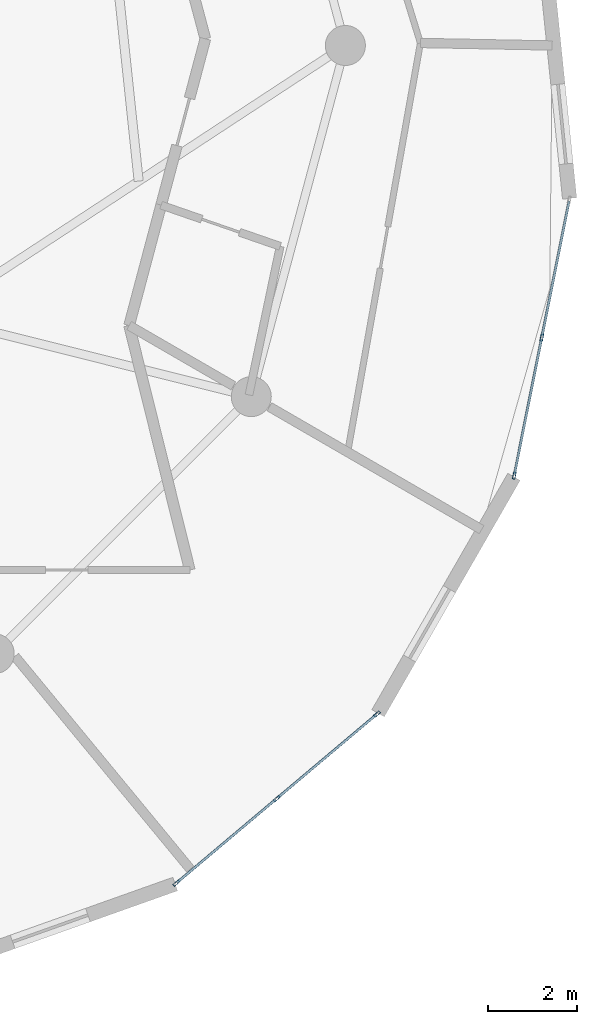
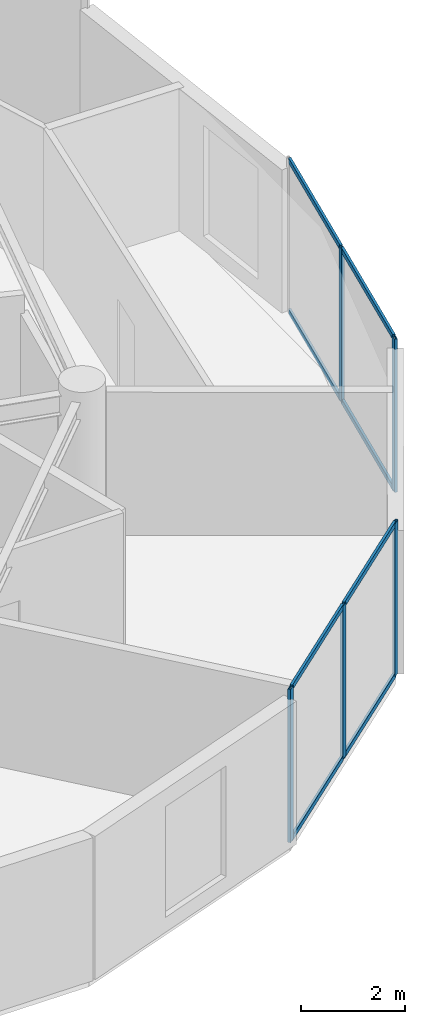
# One storey, part 6 of 17: 13 members, 2 elements without a shape of their own.
"""IFC4 building model written with IfcOpenShell, lengths in metres."""

from ifc_helpers import new_model, si_unit, direction, frame, origin, origin_2d, place, context, subcontext, project, spatial, hollow_rectangle, extrude, source, transform, mapped, material, layer, layer_set, material_profile, profile_set, type_object, element, aggregate, save


model = new_model("IFC4")

# Units and contexts
model_context = context("Model", 3, precision=1e-05, world=origin(), true_north=direction((0.0, 1.0)))
body_context = subcontext(model_context, "Body", "Model", "MODEL_VIEW")
ifc_project = project(units=[si_unit("LENGTHUNIT", "METRE"), si_unit("AREAUNIT", "SQUARE_METRE"), si_unit("VOLUMEUNIT", "CUBIC_METRE"), si_unit("PLANEANGLEUNIT", "RADIAN"), si_unit("MASSUNIT", "GRAM", prefix="KILO")], contexts=[model_context])

# Site, building, storey
site_placement = place(None, origin())
site = spatial("IfcSite", under=ifc_project, at=site_placement, CompositionType="ELEMENT")
building_placement = place(site_placement, origin())
building = spatial("IfcBuilding", under=site, at=building_placement, Name="Solvirekh Grand Hotel", CompositionType="ELEMENT")
storey_placement = place(building_placement, frame((0.0, 0.0, 191.199951171875)))
storey = spatial("IfcBuildingStorey", under=building, at=storey_placement, Name="L49", CompositionType="ELEMENT", Elevation=191.199951171875)

# Curtain wall, members
ifc_material = material(Name="Anodized Bronze Aluminium 6063-T6", Category="aluminium")
ifc_layer = layer(ifc_material, 0.159912109375)
ifc_layer_set = layer_set([ifc_layer], Name="Anodized Bronze Aluminium 6063-T6")
curtain_wall_type = type_object("IfcCurtainWallType", Name="CW_Sys4_HighZoneFlushBronzeCW", PredefinedType="NOTDEFINED", material=ifc_layer_set)
curtain_wall_1_placement = place(storey_placement, origin())
curtain_wall_1 = element("IfcCurtainWall", 1, at=curtain_wall_1_placement, inside=storey, type_object=curtain_wall_type, Name="L49 unitised bronze-glass curtain wall CW-L49-C01", PredefinedType="NOTDEFINED")
ifc_material_profile_1 = material_profile(ifc_material, hollow_rectangle(XDim=0.06005859375, YDim=0.159912109375, WallThickness=0.0048828125, at=origin_2d()), Name="ALU RHS 160X60X5")
ifc_profile_set_1 = profile_set([ifc_material_profile_1], Name="Anodized Bronze Aluminium 6063-T6")
member_type_1 = type_object("IfcMemberType", Name="CWMullion_Sys4", PredefinedType="MULLION", material=ifc_profile_set_1)
shared_shape_1 = source(origin(), body_context, "Body", "SweptSolid", [
    extrude(hollow_rectangle(XDim=0.06005859375, YDim=0.159912109375, WallThickness=0.0048828125, at=origin_2d()), origin(), (0.0, 0.0, 1.0), 3.60009765625),
])
member_1_placement = place(storey_placement, frame((11.994873046875, -18.8466796875, 0.0), z_axis=(0.0, 0.0, 1.0), x_axis=(-0.644197671449, 0.764859045903, 0.0)))
member_1 = element("IfcMember", 2, at=member_1_placement, type_object=member_type_1, Name="U04 mullion 1", PredefinedType="MULLION", context=body_context, shape_type="MappedRepresentation", body=[
    mapped(shared_shape_1, transform((0.0, 0.0, 0.0), x_axis=(1.0, 0.0, 0.0), y_axis=(0.0, 1.0, 0.0), z_axis=(0.0, 0.0, 1.0), scale=1.0)),
])
member_2_placement = place(storey_placement, frame((14.25390625, -16.944091796875, 0.0), z_axis=(0.0, 0.0, 1.0), x_axis=(-0.644197671449, 0.764859045903, 0.0)))
member_2 = element("IfcMember", 3, at=member_2_placement, type_object=member_type_1, Name="U04 mullion 2", PredefinedType="MULLION", context=body_context, shape_type="MappedRepresentation", body=[
    mapped(shared_shape_1, transform((0.0, 0.0, 0.0), x_axis=(1.0, 0.0, 0.0), y_axis=(0.0, 1.0, 0.0), z_axis=(0.0, 0.0, 1.0), scale=1.0)),
])
member_3_placement = place(storey_placement, frame((16.512939453125, -15.041259765625, 0.0), z_axis=(0.0, 0.0, 1.0), x_axis=(-0.644197671449, 0.764859045903, 0.0)))
member_3 = element("IfcMember", 4, at=member_3_placement, type_object=member_type_1, Name="U04 mullion 3", PredefinedType="MULLION", context=body_context, shape_type="MappedRepresentation", body=[
    mapped(shared_shape_1, transform((0.0, 0.0, 0.0), x_axis=(1.0, 0.0, 0.0), y_axis=(0.0, 1.0, 0.0), z_axis=(0.0, 0.0, 1.0), scale=1.0)),
])

curtain_wall_2_placement = place(storey_placement, origin())
curtain_wall_2 = element("IfcCurtainWall", 5, at=curtain_wall_2_placement, inside=storey, type_object=curtain_wall_type, Name="L49 unitised bronze-glass curtain wall CW-L49-C03", PredefinedType="NOTDEFINED")
member_4_placement = place(storey_placement, frame((19.598876953125, -9.676513671875, 0.0), z_axis=(0.0, 0.0, 1.0), x_axis=(-0.980610764538, 0.195965630846, 0.0)))
member_4 = element("IfcMember", 6, at=member_4_placement, type_object=member_type_1, Name="U04 mullion 1", PredefinedType="MULLION", context=body_context, shape_type="MappedRepresentation", body=[
    mapped(shared_shape_1, transform((0.0, 0.0, 0.0), x_axis=(1.0, 0.0, 0.0), y_axis=(0.0, 1.0, 0.0), z_axis=(0.0, 0.0, 1.0), scale=1.0)),
])
member_5_placement = place(storey_placement, frame((20.218994140625, -6.573486328125, 0.0), z_axis=(0.0, 0.0, 1.0), x_axis=(-0.980610764538, 0.195965630846, 0.0)))
member_5 = element("IfcMember", 7, at=member_5_placement, type_object=member_type_1, Name="U04 mullion 2", PredefinedType="MULLION", context=body_context, shape_type="MappedRepresentation", body=[
    mapped(shared_shape_1, transform((0.0, 0.0, 0.0), x_axis=(1.0, 0.0, 0.0), y_axis=(0.0, 1.0, 0.0), z_axis=(0.0, 0.0, 1.0), scale=1.0)),
])
ifc_material_profile_2 = material_profile(ifc_material, hollow_rectangle(XDim=0.054931640625, YDim=0.1201171875, WallThickness=0.00390625, at=origin_2d()), Name="ALU RHS 120X55X4")
ifc_profile_set_2 = profile_set([ifc_material_profile_2], Name="Anodized Bronze Aluminium 6063-T6")
member_type_2 = type_object("IfcMemberType", Name="CWTransom_Sys4", PredefinedType="USERDEFINED", material=ifc_profile_set_2)
shared_shape_2 = source(origin(), body_context, "Body", "SweptSolid", [
    extrude(hollow_rectangle(XDim=0.054931640625, YDim=0.1201171875, WallThickness=0.00390625, at=origin_2d()), origin(), (0.0, 0.0, 1.0), 3.1044921875),
])
member_6_placement = place(storey_placement, frame((19.604736328125, -9.647216796875, 0.027587890625), z_axis=(0.195980019209, 0.980607889052, 0.0), x_axis=(-0.980607889052, 0.195980019209, 0.0)))
member_6 = element("IfcMember", 8, at=member_6_placement, type_object=member_type_2, Name="U04 transom 1.1", ObjectType="TRANSOM", PredefinedType="USERDEFINED", context=body_context, shape_type="MappedRepresentation", body=[
    mapped(shared_shape_2, transform((0.0, 0.0, 0.0), x_axis=(1.0, 0.0, 0.0), y_axis=(0.0, 1.0, 0.0), z_axis=(0.0, 0.0, 1.0), scale=1.0)),
])
member_7_placement = place(storey_placement, frame((19.604736328125, -9.647216796875, 3.572509765625), z_axis=(0.195980019209, 0.980607889052, 0.0), x_axis=(-0.980607889052, 0.195980019209, 0.0)))
member_7 = element("IfcMember", 9, at=member_7_placement, type_object=member_type_2, Name="U04 transom 1.2", ObjectType="TRANSOM", PredefinedType="USERDEFINED", context=body_context, shape_type="MappedRepresentation", body=[
    mapped(shared_shape_2, transform((0.0, 0.0, 0.0), x_axis=(1.0, 0.0, 0.0), y_axis=(0.0, 1.0, 0.0), z_axis=(0.0, 0.0, 1.0), scale=1.0)),
])
shared_shape_3 = source(origin(), body_context, "Body", "SweptSolid", [
    extrude(hollow_rectangle(XDim=0.054931640625, YDim=0.1201171875, WallThickness=0.00390625, at=origin_2d()), origin(), (0.0, 0.0, 1.0), 3.104736328125),
])
member_8_placement = place(storey_placement, frame((20.224853515625, -6.544189453125, 0.027587890625), z_axis=(0.195964906646, 0.980610909262, 0.0), x_axis=(-0.980610909262, 0.195964906646, 0.0)))
member_8 = element("IfcMember", 10, at=member_8_placement, type_object=member_type_2, Name="U04 transom 2.1", ObjectType="TRANSOM", PredefinedType="USERDEFINED", context=body_context, shape_type="MappedRepresentation", body=[
    mapped(shared_shape_3, transform((0.0, 0.0, 0.0), x_axis=(1.0, 0.0, 0.0), y_axis=(0.0, 1.0, 0.0), z_axis=(0.0, 0.0, 1.0), scale=1.0)),
])
member_9_placement = place(storey_placement, frame((20.224853515625, -6.544189453125, 3.572509765625), z_axis=(0.195964906646, 0.980610909262, 0.0), x_axis=(-0.980610909262, 0.195964906646, 0.0)))
member_9 = element("IfcMember", 11, at=member_9_placement, type_object=member_type_2, Name="U04 transom 2.2", ObjectType="TRANSOM", PredefinedType="USERDEFINED", context=body_context, shape_type="MappedRepresentation", body=[
    mapped(shared_shape_3, transform((0.0, 0.0, 0.0), x_axis=(1.0, 0.0, 0.0), y_axis=(0.0, 1.0, 0.0), z_axis=(0.0, 0.0, 1.0), scale=1.0)),
])
aggregate(curtain_wall_2, [member_4, member_5, member_6, member_7, member_8, member_9])

# Member
shared_shape_4 = source(origin(), body_context, "Body", "SweptSolid", [
    extrude(hollow_rectangle(XDim=0.054931640625, YDim=0.1201171875, WallThickness=0.00390625, at=origin_2d()), origin(), (0.0, 0.0, 1.0), 2.8935546875),
])
member_10_placement = place(storey_placement, frame((12.017822265625, -18.827392578125, 0.027587890625), z_axis=(0.764856495403, 0.644200699658, 0.0), x_axis=(-0.644200699658, 0.764856495403, 0.0)))
member_10 = element("IfcMember", 12, at=member_10_placement, type_object=member_type_2, Name="U04 transom 1.1", ObjectType="TRANSOM", PredefinedType="USERDEFINED", context=body_context, shape_type="MappedRepresentation", body=[
    mapped(shared_shape_4, transform((0.0, 0.0, 0.0), x_axis=(1.0, 0.0, 0.0), y_axis=(0.0, 1.0, 0.0), z_axis=(0.0, 0.0, 1.0), scale=1.0)),
])

member_11_placement = place(storey_placement, frame((12.017822265625, -18.827392578125, 3.572509765625), z_axis=(0.764856495403, 0.644200699658, 0.0), x_axis=(-0.644200699658, 0.764856495403, 0.0)))
member_11 = element("IfcMember", 13, at=member_11_placement, type_object=member_type_2, Name="U04 transom 1.2", ObjectType="TRANSOM", PredefinedType="USERDEFINED", context=body_context, shape_type="MappedRepresentation", body=[
    mapped(shared_shape_4, transform((0.0, 0.0, 0.0), x_axis=(1.0, 0.0, 0.0), y_axis=(0.0, 1.0, 0.0), z_axis=(0.0, 0.0, 1.0), scale=1.0)),
])

member_12_placement = place(storey_placement, frame((14.27685546875, -16.924560546875, 0.027587890625), z_axis=(0.764856495403, 0.644200699658, 0.0), x_axis=(-0.644200699658, 0.764856495403, 0.0)))
member_12 = element("IfcMember", 14, at=member_12_placement, type_object=member_type_2, Name="U04 transom 2.1", ObjectType="TRANSOM", PredefinedType="USERDEFINED", context=body_context, shape_type="MappedRepresentation", body=[
    mapped(shared_shape_4, transform((0.0, 0.0, 0.0), x_axis=(1.0, 0.0, 0.0), y_axis=(0.0, 1.0, 0.0), z_axis=(0.0, 0.0, 1.0), scale=1.0)),
])

member_13_placement = place(storey_placement, frame((14.27685546875, -16.924560546875, 3.572509765625), z_axis=(0.764856495403, 0.644200699658, 0.0), x_axis=(-0.644200699658, 0.764856495403, 0.0)))
member_13 = element("IfcMember", 15, at=member_13_placement, type_object=member_type_2, Name="U04 transom 2.2", ObjectType="TRANSOM", PredefinedType="USERDEFINED", context=body_context, shape_type="MappedRepresentation", body=[
    mapped(shared_shape_4, transform((0.0, 0.0, 0.0), x_axis=(1.0, 0.0, 0.0), y_axis=(0.0, 1.0, 0.0), z_axis=(0.0, 0.0, 1.0), scale=1.0)),
])

aggregate(curtain_wall_1, [member_1, member_2, member_3, member_10, member_11, member_12, member_13])

save(model, "model.ifc")
